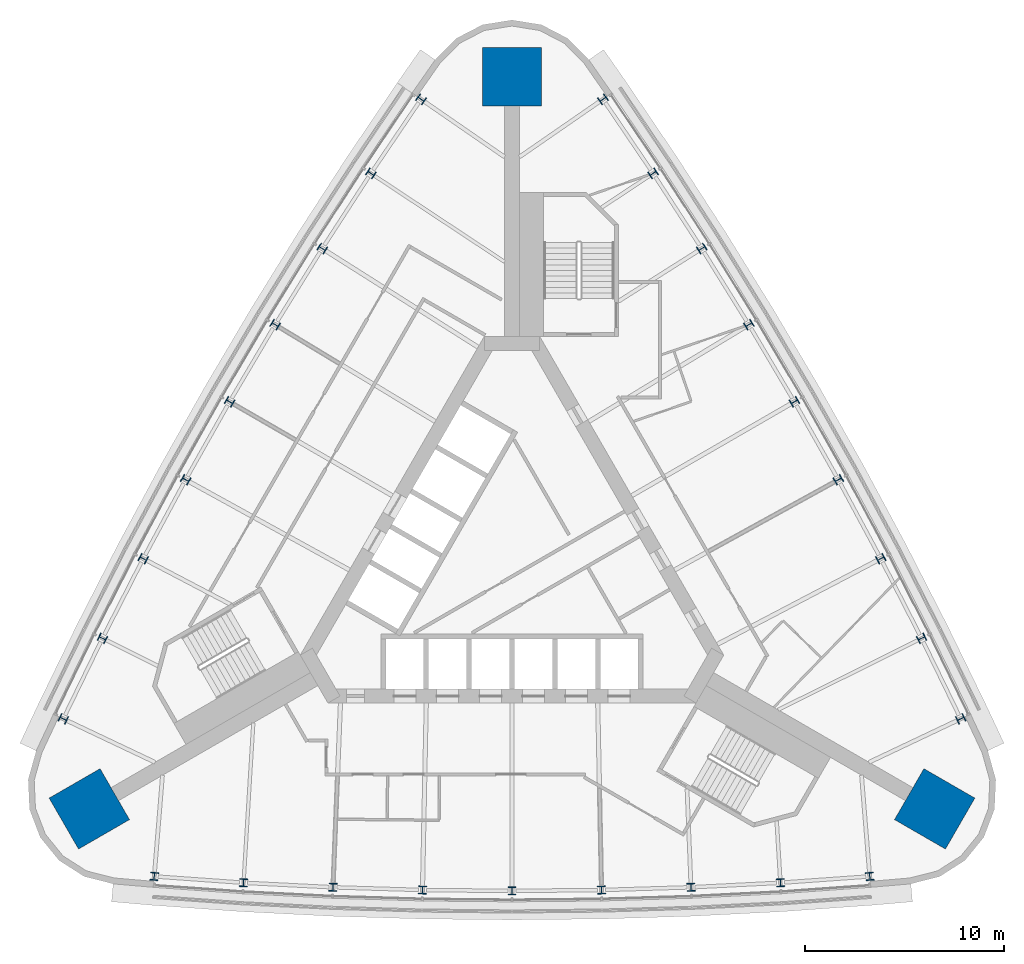
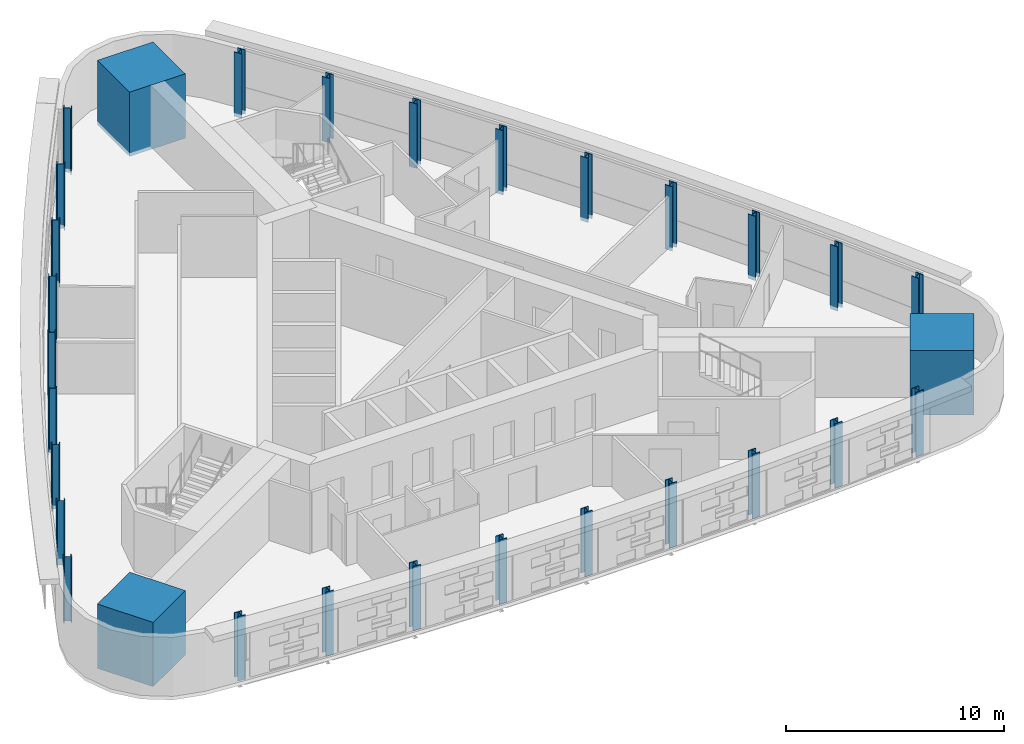
# One storey, part 1 of 11: 30 columns.
"""IFC4 building model written with IfcOpenShell, lengths in metres."""

from ifc_helpers import new_model, si_unit, direction, frame, origin, origin_2d, place, context, subcontext, project, spatial, rectangle, i_section, extrude, material, material_profile, profile_set, type_object, element, save


model = new_model("IFC4")

# Units and contexts
model_context = context("Model", 3, precision=1e-05, world=origin(), true_north=direction((0.0, 1.0)))
body_context = subcontext(model_context, "Body", "Model", "MODEL_VIEW")
ifc_project = project(units=[si_unit("LENGTHUNIT", "METRE"), si_unit("AREAUNIT", "SQUARE_METRE"), si_unit("VOLUMEUNIT", "CUBIC_METRE"), si_unit("PLANEANGLEUNIT", "RADIAN"), si_unit("MASSUNIT", "GRAM", prefix="KILO")], contexts=[model_context])

# Site, building, storey
site_placement = place(None, origin())
site = spatial("IfcSite", under=ifc_project, at=site_placement, CompositionType="ELEMENT")
building_placement = place(site_placement, origin())
building = spatial("IfcBuilding", under=site, at=building_placement, Name="Noor Cloister Tower", CompositionType="ELEMENT")
storey_placement = place(building_placement, frame((0.0, 0.0, 120.300048828125)))
storey = spatial("IfcBuildingStorey", under=building, at=storey_placement, Name="L31", CompositionType="ELEMENT", Elevation=120.300048828125)

# Columns
ifc_material_1 = material(Name="Steel ASTM A992 Gr 50", Category="steel")
ifc_material_profile_1 = material_profile(ifc_material_1, i_section(OverallWidth=0.40087890625, OverallDepth=0.39892578125, WebThickness=0.02490234375, FlangeThickness=0.03955078125, FilletRadius=0.015380859375, at=origin_2d()), Name="W360x314")
ifc_profile_set_1 = profile_set([ifc_material_profile_1], Name="Steel ASTM A992 Gr 50")
column_type_1 = type_object("IfcColumnType", Name="Column W360x314", PredefinedType="COLUMN", material=ifc_profile_set_1)
for number, where, z_axis, x_axis, name in (
    (1, (-4.56005859375, 23.343017578125, -0.199951171875), (0.0, 0.0, 1.0), (-0.568579465539, -0.822628343401, 0.0), "Column NW 01 L31"),
    (2, (-7.07470703125, 19.624755859375, -0.199951171875), (0.0, 0.0, 1.0), (-0.551768440172, -0.83399735517, 0.0), "Column NW 02 L31"),
    (3, (-9.513427734375, 15.856201171875, -0.199951171875), (0.0, 0.0, 1.0), (-0.534730160694, -0.845022872616, 0.0), "Column NW 03 L31"),
    (4, (-11.875, 12.0390625, -0.199951171875), (0.0, 0.0, 1.0), (-0.517471644577, -0.855700354715, 0.0), "Column NW 04 L31"),
    (5, (-14.15869140625, 8.174560546875, -0.199951171875), (0.0, 0.0, 1.0), (-0.5, -0.866025403784, 0.0), "Column NW 05 L31"),
    (6, (-16.363525390625, 4.2646484375, -0.199951171875), (0.0, 0.0, 1.0), (-0.482322422922, -0.875993767299, 0.0), "Column NW 06 L31"),
    (7, (-18.488525390625, 0.310791015625, -0.199951171875), (0.0, 0.0, 1.0), (-0.464446194118, -0.885601339639, 0.0), "Column NW 07 L31"),
    (8, (-20.532958984375, -3.685546875, -0.199951171875), (0.0, 0.0, 1.0), (-0.446378676181, -0.89484416378, 0.0), "Column NW 08 L31"),
    (9, (-22.495849609375, -7.722412109375, -0.199951171875), (0.0, 0.0, 1.0), (-0.428127310489, -0.903718432928, 0.0), "Column NW 09 L31"),
    (10, (-17.935546875, -15.620849609375, -0.199951171875), (0.0, 0.0, 1.0), (0.996706776028, -0.081090089527, 0.0), "Column S 01 L31"),
    (11, (-13.458251953125, -15.939208984375, -0.199951171875), (0.0, 0.0, 1.0), (0.998147116352, -0.06084680861, 0.0), "Column S 02 L31"),
    (12, (-8.97509765625, -16.1669921875, -0.199951171875), (0.0, 0.0, 1.0), (0.999176354811, -0.040578467022, 0.0), "Column S 03 L31"),
    (13, (-4.488525390625, -16.3037109375, -0.199951171875), (0.0, 0.0, 1.0), (0.999794067499, -0.020293412584, 0.0), "Column S 04 L31"),
    (14, (0.0, -16.34912109375, -0.199951171875), (0.0, 0.0, 1.0), (1.0, 0.0, 0.0), "Column S 05 L31"),
    (15, (4.488525390625, -16.3037109375, -0.199951171875), (0.0, 0.0, 1.0), (0.999794067499, 0.020293412584, 0.0), "Column S 06 L31"),
    (16, (8.97509765625, -16.1669921875, -0.199951171875), (0.0, 0.0, 1.0), (0.999176354811, 0.040578467022, 0.0), "Column S 07 L31"),
    (17, (13.458251953125, -15.939208984375, -0.199951171875), (0.0, 0.0, 1.0), (0.998147116352, 0.06084680861, 0.0), "Column S 08 L31"),
    (18, (17.935546875, -15.620849609375, -0.199951171875), (0.0, 0.0, 1.0), (0.996706776028, 0.081090089527, 0.0), "Column S 09 L31"),
    (19, (22.495849609375, -7.722412109375, -0.199951171875), (0.0, 0.0, 1.0), (-0.428127310489, 0.903718432928, 0.0), "Column NE 01 L31"),
    (20, (20.532958984375, -3.685546875, -0.199951171875), (0.0, 0.0, 1.0), (-0.446378676181, 0.89484416378, 0.0), "Column NE 02 L31"),
    (21, (18.488525390625, 0.310791015625, -0.199951171875), (0.0, 0.0, 1.0), (-0.464446194118, 0.885601339639, 0.0), "Column NE 03 L31"),
    (22, (16.363525390625, 4.2646484375, -0.199951171875), (0.0, 0.0, 1.0), (-0.482322422922, 0.875993767299, 0.0), "Column NE 04 L31"),
    (23, (14.15869140625, 8.174560546875, -0.199951171875), (0.0, 0.0, 1.0), (-0.5, 0.866025403784, 0.0), "Column NE 05 L31"),
    (24, (11.875, 12.0390625, -0.199951171875), (0.0, 0.0, 1.0), (-0.517471644577, 0.855700354715, 0.0), "Column NE 06 L31"),
    (25, (9.513427734375, 15.856201171875, -0.199951171875), (0.0, 0.0, 1.0), (-0.534730160694, 0.845022872616, 0.0), "Column NE 07 L31"),
    (26, (7.07470703125, 19.624755859375, -0.199951171875), (0.0, 0.0, 1.0), (-0.551768440172, 0.83399735517, 0.0), "Column NE 08 L31"),
    (27, (4.56005859375, 23.343017578125, -0.199951171875), (0.0, 0.0, 1.0), (-0.568579465539, 0.822628343401, 0.0), "Column NE 09 L31"),
):
    element("IfcColumn", number, at=place(storey_placement, frame(where, z_axis=z_axis, x_axis=x_axis)), inside=storey, type_object=column_type_1, Name=name, PredefinedType="COLUMN", context=body_context, shape_type="SweptSolid", body=[
        extrude(i_section(OverallWidth=0.40087890625, OverallDepth=0.39892578125, WebThickness=0.02490234375, FlangeThickness=0.03955078125, FilletRadius=0.015380859375, at=origin_2d()), origin(), (0.0, 0.0, 1.0), 3.599853515625),
    ])
ifc_material_2 = material(Name="Concrete C80/95", Category="concrete")
ifc_material_profile_2 = material_profile(ifc_material_2, rectangle(XDim=2.949951171875, YDim=2.949951171875, at=origin_2d()), Name="RC 2950x2950")
ifc_profile_set_2 = profile_set([ifc_material_profile_2], Name="Concrete C80/95")
column_type_2 = type_object("IfcColumnType", Name="Corner pier 2950 x 2950 C80/95", PredefinedType="COLUMN", material=ifc_profile_set_2)
for number, where, z_axis, x_axis, name in (
    (28, (0.0, 24.469970703125, -0.199951171875), (0.0, 0.0, 1.0), (0.0, 1.0, 0.0), "Corner pier N L31"),
    (29, (-21.191650390625, -12.235107421875, -0.199951171875), (0.0, 0.0, 1.0), (-0.866025403784, -0.5, 0.0), "Corner pier SW L31"),
    (30, (21.191650390625, -12.235107421875, -0.199951171875), (0.0, 0.0, 1.0), (0.866025403784, -0.5, 0.0), "Corner pier SE L31"),
):
    element("IfcColumn", number, at=place(storey_placement, frame(where, z_axis=z_axis, x_axis=x_axis)), inside=storey, type_object=column_type_2, Name=name, PredefinedType="COLUMN", context=body_context, shape_type="SweptSolid", body=[
        extrude(rectangle(XDim=2.949951171875, YDim=2.949951171875, at=origin_2d()), origin(), (0.0, 0.0, 1.0), 3.599853515625),
    ])

save(model, "model.ifc")
